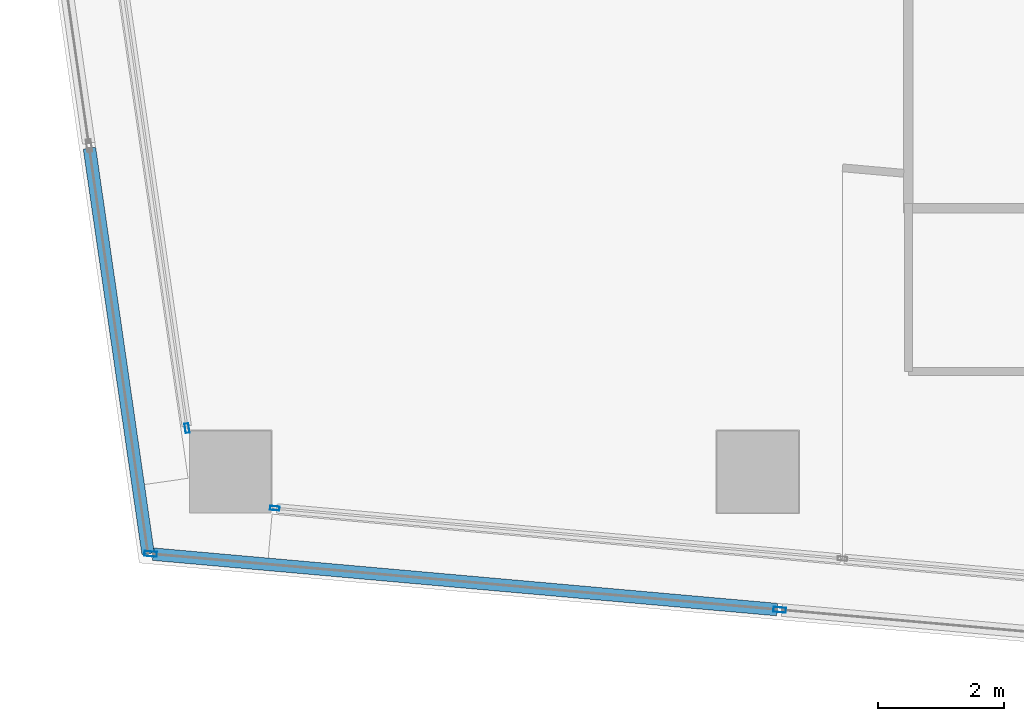
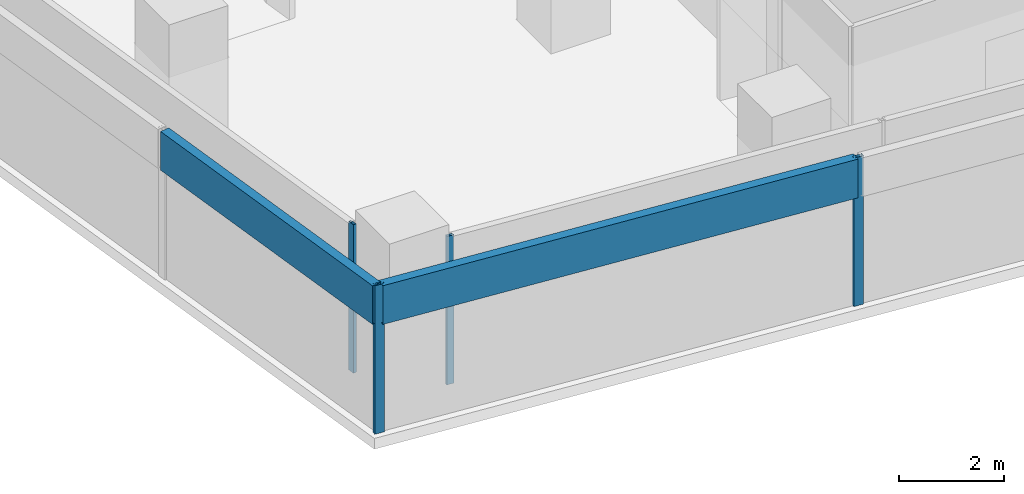
# One storey, part 2 of 30: 6 members, 4 elements without a shape of their own.
"""IFC4 building model written with IfcOpenShell, lengths in metres."""

from ifc_helpers import new_model, si_unit, direction, frame, origin, origin_2d, place, context, subcontext, project, spatial, hollow_rectangle, extrude, material, material_profile, profile_set, type_object, element, aggregate, save


model = new_model("IFC4")

# Units and contexts
model_context = context("Model", 3, precision=1e-05, world=origin(), true_north=direction((0.0, 1.0)))
body_context = subcontext(model_context, "Body", "Model", "MODEL_VIEW")
ifc_project = project(units=[si_unit("LENGTHUNIT", "METRE"), si_unit("AREAUNIT", "SQUARE_METRE"), si_unit("VOLUMEUNIT", "CUBIC_METRE"), si_unit("PLANEANGLEUNIT", "RADIAN"), si_unit("MASSUNIT", "GRAM", prefix="KILO")], contexts=[model_context])

# Site, building, storey
site_placement = place(None, origin())
site = spatial("IfcSite", under=ifc_project, at=site_placement, CompositionType="ELEMENT")
building_placement = place(site_placement, origin())
building = spatial("IfcBuilding", under=site, at=building_placement, Name="Rekha Terrace Tower", CompositionType="ELEMENT")
storey_placement = place(building_placement, frame((0.0, 0.0, 287.60009765625)))
storey = spatial("IfcBuildingStorey", under=building, at=storey_placement, Name="L73", CompositionType="ELEMENT", Elevation=287.60009765625)

# Curtain wall, member
ifc_material_1 = material(Name="Aluminium framing", Category="aluminium")
curtain_wall_type_1 = type_object("IfcCurtainWallType", Name="CW1 double skin inner glazing", PredefinedType="USERDEFINED", material=ifc_material_1)
curtain_wall_1_placement = place(storey_placement, origin())
curtain_wall_1 = element("IfcCurtainWall", 1, at=curtain_wall_1_placement, inside=storey, type_object=curtain_wall_type_1, Name="CW1 double skin inner glazing", ObjectType="DOUBLE SKIN INNER GLAZING", PredefinedType="USERDEFINED")
ifc_material_2 = material(Name="Aluminium mullion section", Category="aluminium")
ifc_material_profile_1 = material_profile(ifc_material_2, hollow_rectangle(XDim=0.06494140625, YDim=0.14990234375, WallThickness=0.00390625, at=origin_2d()), Name="AL RHS 65x150")
ifc_profile_set_1 = profile_set([ifc_material_profile_1], Name="Aluminium mullion section")
member_type_1 = type_object("IfcMemberType", Name="CW1 mullion RHS 65 x 150", PredefinedType="MULLION", material=ifc_profile_set_1)
member_1_placement = place(storey_placement, frame((9.109130859375, 16.222412109375, 0.0), z_axis=(0.0, 0.0, 1.0), x_axis=(0.088522441405, 0.996074182663, 0.0)))
member_1 = element("IfcMember", 2, at=member_1_placement, type_object=member_type_1, Name="CW1 mullion 1", PredefinedType="MULLION", context=body_context, shape_type="SweptSolid", body=[
    extrude(hollow_rectangle(XDim=0.06494140625, YDim=0.14990234375, WallThickness=0.00390625, at=origin_2d()), origin(), (0.0, 0.0, 1.0), 3.449951171875),
])
aggregate(curtain_wall_1, [member_1])

curtain_wall_2_placement = place(storey_placement, origin())
curtain_wall_2 = element("IfcCurtainWall", 3, at=curtain_wall_2_placement, inside=storey, type_object=curtain_wall_type_1, Name="CW1 double skin inner glazing", ObjectType="DOUBLE SKIN INNER GLAZING", PredefinedType="USERDEFINED")
member_2_placement = place(storey_placement, frame((7.71044921875, 17.497314453125, 0.0), z_axis=(0.0, 0.0, 1.0), x_axis=(0.989707031394, 0.143108322643, 0.0)))
member_2 = element("IfcMember", 4, at=member_2_placement, type_object=member_type_1, Name="CW1 mullion 2", PredefinedType="MULLION", context=body_context, shape_type="SweptSolid", body=[
    extrude(hollow_rectangle(XDim=0.06494140625, YDim=0.14990234375, WallThickness=0.00390625, at=origin_2d()), origin(), (0.0, 0.0, 1.0), 3.449951171875),
])
aggregate(curtain_wall_2, [member_2])

# Curtain wall, members
curtain_wall_type_2 = type_object("IfcCurtainWallType", Name="CW2 double skin outer glazing", PredefinedType="USERDEFINED", material=ifc_material_1)
curtain_wall_3_placement = place(storey_placement, origin())
curtain_wall_3 = element("IfcCurtainWall", 5, at=curtain_wall_3_placement, inside=storey, type_object=curtain_wall_type_2, Name="CW2 double skin outer glazing", ObjectType="DOUBLE SKIN OUTER GLAZING", PredefinedType="USERDEFINED")
ifc_material_profile_2 = material_profile(ifc_material_2, hollow_rectangle(XDim=0.080078125, YDim=0.199951171875, WallThickness=0.00390625, at=origin_2d()), Name="AL RHS 80x200")
ifc_profile_set_2 = profile_set([ifc_material_profile_2], Name="Aluminium mullion section")
member_type_2 = type_object("IfcMemberType", Name="CW2 mullion RHS 80 x 200", PredefinedType="MULLION", material=ifc_profile_set_2)
member_3_placement = place(storey_placement, frame((7.130126953125, 15.49462890625, 0.0), z_axis=(0.0, 0.0, 1.0), x_axis=(0.088522441457, 0.996074182658, 0.0)))
member_3 = element("IfcMember", 6, at=member_3_placement, type_object=member_type_2, Name="CW2 mullion 1", PredefinedType="MULLION", context=body_context, shape_type="SweptSolid", body=[
    extrude(hollow_rectangle(XDim=0.080078125, YDim=0.199951171875, WallThickness=0.00390625, at=origin_2d()), origin(), (0.0, 0.0, 1.0), 3.449951171875),
])
member_4_placement = place(storey_placement, frame((17.1484375, 14.604248046875, 0.0), z_axis=(0.0, 0.0, 1.0), x_axis=(0.088522441457, 0.996074182658, 0.0)))
member_4 = element("IfcMember", 7, at=member_4_placement, type_object=member_type_2, Name="CW2 mullion 2", PredefinedType="MULLION", context=body_context, shape_type="SweptSolid", body=[
    extrude(hollow_rectangle(XDim=0.080078125, YDim=0.199951171875, WallThickness=0.00390625, at=origin_2d()), origin(), (0.0, 0.0, 1.0), 3.449951171875),
])
ifc_material_3 = material(Name="Insulated aluminium spandrel box", Category="aluminium")
ifc_material_profile_3 = material_profile(ifc_material_3, hollow_rectangle(XDim=0.199951171875, YDim=0.89990234375, WallThickness=0.0029296875, at=origin_2d()), Name="AL SPANDREL BOX 200x900")
ifc_profile_set_3 = profile_set([ifc_material_profile_3], Name="Insulated aluminium spandrel box")
member_type_3 = type_object("IfcMemberType", Name="CW2 spandrel transom 200 x 900", PredefinedType="USERDEFINED", material=ifc_profile_set_3)
member_5_placement = place(storey_placement, frame((7.169921875, 15.490966796875, 3.0), z_axis=(0.996076044645, -0.088501487472, 0.0), x_axis=(0.088501487472, 0.996076044645, 0.0)))
member_5 = element("IfcMember", 8, at=member_5_placement, type_object=member_type_3, Name="CW2 spandrel transom 1", ObjectType="TRANSOM", PredefinedType="USERDEFINED", context=body_context, shape_type="SweptSolid", body=[
    extrude(hollow_rectangle(XDim=0.199951171875, YDim=0.89990234375, WallThickness=0.0029296875, at=origin_2d()), origin(), (0.0, 0.0, 1.0), 9.977783203125),
])
aggregate(curtain_wall_3, [member_3, member_4, member_5])

# Curtain wall, member
curtain_wall_4_placement = place(storey_placement, origin())
curtain_wall_4 = element("IfcCurtainWall", 9, at=curtain_wall_4_placement, inside=storey, type_object=curtain_wall_type_2, Name="CW2 double skin outer glazing", ObjectType="DOUBLE SKIN OUTER GLAZING", PredefinedType="USERDEFINED")
member_6_placement = place(storey_placement, frame((6.15625, 21.95703125, 3.0), z_axis=(0.143128512687, -0.989704111771, 0.0), x_axis=(0.989704111771, 0.143128512687, 0.0)))
member_6 = element("IfcMember", 10, at=member_6_placement, type_object=member_type_3, Name="CW2 spandrel transom 2", ObjectType="TRANSOM", PredefinedType="USERDEFINED", context=body_context, shape_type="SweptSolid", body=[
    extrude(hollow_rectangle(XDim=0.199951171875, YDim=0.89990234375, WallThickness=0.0029296875, at=origin_2d()), origin(), (0.0, 0.0, 1.0), 6.526123046875),
])
aggregate(curtain_wall_4, [member_6])

save(model, "model.ifc")
